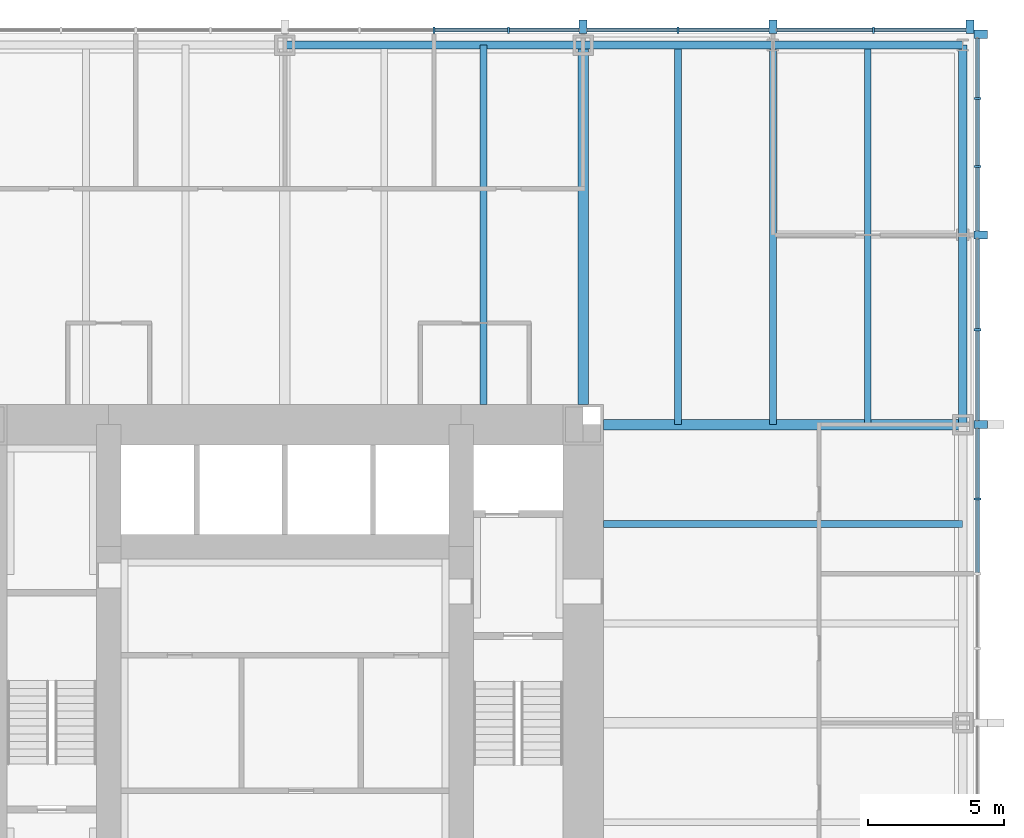
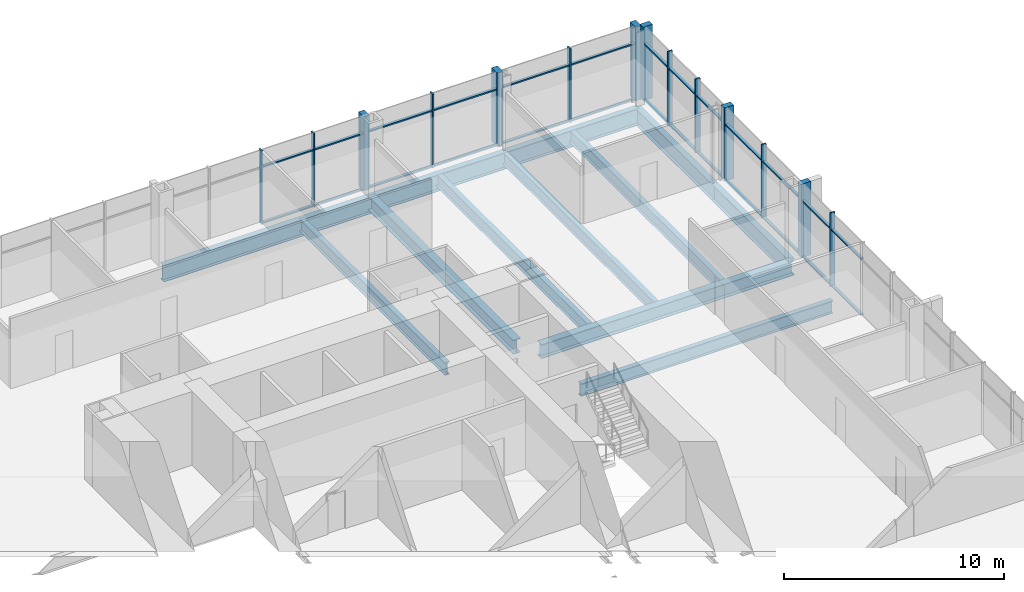
# One storey, part 6 of 12: 40 members, 12 beams, 2 elements without a shape of their own.
"""IFC4 building model written with IfcOpenShell, lengths in metres."""

import ifcopenshell
import ifcopenshell.guid

model = None  # the IFC model being written
_history = None  # IfcOwnerHistory: only IFC2X3 demands one
_inside = {}  # id of a spatial element -> (the spatial element, [elements in it])
_under = {}  # id of a project, library or spatial element -> (it, [spatial elements below it])
_declared = {}  # id of a project -> (the project, [libraries it declares])
_typed = {}  # id of a type object -> (the type object, [elements of that type])
_made_of = {}  # id of a material, layer set ... -> (it, [elements and type objects made of it])


def new_model(schema):
    """Start an empty IFC model of exactly this schema.

    Asked for "IFC4X3", IfcOpenShell would pick the latest addendum, in which some entities
    have other attributes; the version numbers below select the first issue.
    IFC2X3 requires an IfcOwnerHistory on every rooted entity: one is made here for all.
    """
    global model, _history
    if schema == "IFC4X3":
        model = ifcopenshell.file(schema_version=(4, 3, 0, 0))
    else:
        model = ifcopenshell.file(schema=schema)
    _inside.clear()
    _under.clear()
    _declared.clear()
    _typed.clear()
    _made_of.clear()
    _history = None
    if model.schema == "IFC2X3":
        org = make("IfcOrganization", Name="unknown")
        user = make(
            "IfcPersonAndOrganization",
            ThePerson=make("IfcPerson", FamilyName="unknown"),
            TheOrganization=org,
        )
        app = make(
            "IfcApplication",
            ApplicationDeveloper=org,
            Version="unknown",
            ApplicationFullName="unknown",
            ApplicationIdentifier="unknown",
        )
        _history = make(
            "IfcOwnerHistory",
            OwningUser=user,
            OwningApplication=app,
            ChangeAction="ADDED",
            CreationDate=0,
        )
    return model


def make(cls, **values):
    """One entity of the class cls with the attributes given. An attribute that is None is left unset."""
    return model.create_entity(
        cls, **{name: value for name, value in values.items() if value is not None}
    )


def rooted(cls, **values):
    """An entity with a GlobalId (a new one), such as an element, a storey or a relation."""
    return make(cls, GlobalId=ifcopenshell.guid.new(), OwnerHistory=_history, **values)


def si_unit(unit_type, name, prefix=None):
    """IfcSIUnit, for example si_unit("LENGTHUNIT", "METRE", prefix="MILLI")."""
    return make("IfcSIUnit", UnitType=unit_type, Prefix=prefix, Name=name)


def assignment(units):
    """IfcUnitAssignment: the units of a project."""
    return None if units is None else make("IfcUnitAssignment", Units=units)


def point(xyz):
    """IfcCartesianPoint."""
    return None if xyz is None else make("IfcCartesianPoint", Coordinates=xyz)


def direction(xyz):
    """IfcDirection."""
    return None if xyz is None else make("IfcDirection", DirectionRatios=xyz)


def frame(location, z_axis=None, x_axis=None):
    """IfcAxis2Placement3D, a coordinate frame: its origin and axes. An axis left out is left unset."""
    return make(
        "IfcAxis2Placement3D",
        Location=point(location),
        Axis=direction(z_axis),
        RefDirection=direction(x_axis),
    )


def frame_2d(location, x_axis=None):
    """IfcAxis2Placement2D, a coordinate frame in the plane: its origin and x axis."""
    return make(
        "IfcAxis2Placement2D", Location=point(location), RefDirection=direction(x_axis)
    )


def origin():
    """The frame at (0, 0, 0) with its axes left unset."""
    return frame((0.0, 0.0, 0.0))


def origin_2d():
    """The frame at (0, 0) in the plane with its x axis left unset."""
    return frame_2d((0.0, 0.0))


def place(relative_to, where):
    """IfcLocalPlacement: puts the frame where relative to a parent placement (None: the world)."""
    return make(
        "IfcLocalPlacement", PlacementRelTo=relative_to, RelativePlacement=where
    )


def context(
    kind, dimensions, precision=None, world=None, true_north=None, identifier=None
):
    """IfcGeometricRepresentationContext, for example the 3D "Model" context."""
    return make(
        "IfcGeometricRepresentationContext",
        ContextIdentifier=identifier,
        ContextType=kind,
        CoordinateSpaceDimension=dimensions,
        Precision=precision,
        WorldCoordinateSystem=world,
        TrueNorth=true_north,
    )


def subcontext(parent, identifier, kind, view, scale=None):
    """IfcGeometricRepresentationSubContext, for example "Body" below "Model"."""
    return make(
        "IfcGeometricRepresentationSubContext",
        ContextIdentifier=identifier,
        ContextType=kind,
        ParentContext=parent,
        TargetScale=scale,
        TargetView=view,
    )


def project(units=None, contexts=None):
    """IfcProject with its units and contexts."""
    return rooted(
        "IfcProject",
        Name="project",
        RepresentationContexts=contexts,
        UnitsInContext=assignment(units),
    )


def spatial(cls, under=None, at=None, **own):
    """A site, building, storey or space (cls), placed at a placement, below another one or the project."""
    s = rooted(cls, ObjectPlacement=at, **own)
    if under is not None:
        _under.setdefault(under.id(), (under, []))[1].append(s)
    return s


def profile(cls, at=None, kind="AREA", **sizes):
    """A parametric profile (cls). Its sizes go by their IFC names, for example OverallWidth=200.0."""
    return make(cls, ProfileType=kind, Position=at, **sizes)


def rectangle(**sizes):
    """IfcRectangleProfileDef."""
    return profile("IfcRectangleProfileDef", **sizes)


def i_section(**sizes):
    """IfcIShapeProfileDef."""
    return profile("IfcIShapeProfileDef", **sizes)


def extrude(swept, where, along, depth):
    """IfcExtrudedAreaSolid: the profile swept, set in the frame where, extruded along a direction by depth."""
    return make(
        "IfcExtrudedAreaSolid",
        SweptArea=swept,
        Position=where,
        ExtrudedDirection=direction(along),
        Depth=depth,
    )


def shape(context_of_items, identifier, shape_type, items):
    """IfcShapeRepresentation: the items that make up one representation, for example the "Body"."""
    return make(
        "IfcShapeRepresentation",
        ContextOfItems=context_of_items,
        RepresentationIdentifier=identifier,
        RepresentationType=shape_type,
        Items=items,
    )


def material(Name=None, Category=None):
    """IfcMaterial."""
    return make("IfcMaterial", Name=Name, Category=Category)


def material_profile(
    of_material, cross_section, Name=None, Category=None, Priority=None
):
    """IfcMaterialProfile: a cross section and its material."""
    return make(
        "IfcMaterialProfile",
        Name=Name,
        Material=of_material,
        Profile=cross_section,
        Priority=Priority,
        Category=Category,
    )


def profile_set(profiles, Name=None, composite=None):
    """IfcMaterialProfileSet."""
    return make(
        "IfcMaterialProfileSet",
        Name=Name,
        MaterialProfiles=profiles,
        CompositeProfile=composite,
    )


def made_of(thing, what):
    """Note that an element or type object is made of a material, layer set ...; save() writes the relation."""
    if what is not None:
        _made_of.setdefault(what.id(), (what, []))[1].append(thing)
    return thing


def type_object(cls, material=None, **own):
    """A type object (cls), such as IfcWallType, which elements share."""
    return made_of(rooted(cls, **own), material)


def element(
    cls,
    number,
    at=None,
    inside=None,
    cuts=None,
    type_object=None,
    material=None,
    context=None,
    identifier="Body",
    shape_type=None,
    held_by="IfcProductDefinitionShape",
    body=None,
    shapes=None,
    **own,
):
    """One element of the class cls, such as IfcWall. Its Tag is "e" and its number.

    at: its placement. inside: the storey or other place that contains it. cuts: it is an
    opening in that element (IfcRelVoidsElement). A single representation is given by context,
    identifier, shape_type and body (its items); several are given by shapes. held_by: the class
    of the entity that holds the representations. save() writes the other relations.
    """
    e = rooted(cls, Tag="e%d" % number, ObjectPlacement=at, **own)
    if body is not None:
        shapes = [shape(context, identifier, shape_type, body)]
    if shapes is not None:
        e.Representation = make(held_by, Representations=shapes)
    if inside is not None:
        _inside.setdefault(inside.id(), (inside, []))[1].append(e)
    if cuts is not None:
        rooted(
            "IfcRelVoidsElement", RelatingBuildingElement=cuts, RelatedOpeningElement=e
        )
    if type_object is not None:
        _typed.setdefault(type_object.id(), (type_object, []))[1].append(e)
    return made_of(e, material)


def aggregate(whole, parts):
    """IfcRelAggregates: a whole, such as a stair, and the parts it consists of."""
    return rooted("IfcRelAggregates", RelatingObject=whole, RelatedObjects=parts)


def save(model, path):
    """Write the relations noted so far, then the file.

    IfcRelAggregates (storeys below a building ...), IfcRelContainedInSpatialStructure (elements
    in a storey), IfcRelDefinesByType, IfcRelAssociatesMaterial and IfcRelDeclares: one each for
    every whole, place, type object, material and project.
    """
    for whole, parts in _under.values():
        aggregate(whole, parts)
    for where, things in _inside.values():
        rooted(
            "IfcRelContainedInSpatialStructure",
            RelatedElements=things,
            RelatingStructure=where,
        )
    for kind, things in _typed.values():
        rooted("IfcRelDefinesByType", RelatedObjects=things, RelatingType=kind)
    for what, things in _made_of.values():
        rooted("IfcRelAssociatesMaterial", RelatedObjects=things, RelatingMaterial=what)
    for by, libraries in _declared.values():
        rooted("IfcRelDeclares", RelatingContext=by, RelatedDefinitions=libraries)
    model.write(path)


model = new_model("IFC4")

# Units and contexts
model_context = context("Model", 3, precision=1e-05, world=origin(), true_north=direction((0.0, 1.0)))
body_context = subcontext(model_context, "Body", "Model", "MODEL_VIEW")
ifc_project = project(units=[si_unit("LENGTHUNIT", "METRE"), si_unit("AREAUNIT", "SQUARE_METRE"), si_unit("VOLUMEUNIT", "CUBIC_METRE"), si_unit("PLANEANGLEUNIT", "RADIAN"), si_unit("MASSUNIT", "GRAM", prefix="KILO")], contexts=[model_context])

# Site, building, storey
site_placement = place(None, origin())
site = spatial("IfcSite", under=ifc_project, at=site_placement, CompositionType="ELEMENT")
building_placement = place(site_placement, origin())
building = spatial("IfcBuilding", under=site, at=building_placement, Name="Trevanion Tower", CompositionType="ELEMENT")
storey_placement = place(building_placement, frame((0.0, 0.0, 69.300048828125)))
storey = spatial("IfcBuildingStorey", under=building, at=storey_placement, Name="L16", CompositionType="ELEMENT", Elevation=69.300048828125)

# Beams
ifc_material_1 = material(Name="Steel ASTM A992 Grade 50", Category="steel")
ifc_material_profile_1 = material_profile(ifc_material_1, i_section(OverallWidth=0.25390625, OverallDepth=0.700927734375, WebThickness=0.015380859375, FlangeThickness=0.02783203125, at=origin_2d()), Name="W27X129")
ifc_profile_set_1 = profile_set([ifc_material_profile_1], Name="Steel ASTM A992 Grade 50")
beam_type_1 = type_object("IfcBeamType", Name="B3 W27X129", PredefinedType="BEAM", material=ifc_profile_set_1)
for number, where, z_axis, x_axis, name in (
    (1, (11.75, 7.333251953125, -0.54052734375), (1.0, 0.0, 0.0), (0.0, 1.0, 0.0), "B3 L16"),
    (2, (7.333251953125, 11.75, -0.54052734375), (0.0, 1.0, 0.0), (-1.0, 0.0, 0.0), "B3 L16"),
):
    element("IfcBeam", number, at=place(storey_placement, frame(where, z_axis=z_axis, x_axis=x_axis)), inside=storey, type_object=beam_type_1, Name=name, PredefinedType="BEAM", context=body_context, shape_type="SweptSolid", body=[
        extrude(i_section(OverallWidth=0.25390625, OverallDepth=0.700927734375, WebThickness=0.015380859375, FlangeThickness=0.02783203125, at=origin_2d()), origin(), (0.0, 0.0, 1.0), 13.25),
    ])
ifc_material_2 = material(Name="Steel ASTM A992 Grade 50", Category="steel")
ifc_material_profile_2 = material_profile(ifc_material_2, i_section(OverallWidth=0.256591796875, OverallDepth=0.693359375, WebThickness=0.014404296875, FlangeThickness=0.023681640625, at=origin_2d()), Name="W27X114")
ifc_profile_set_2 = profile_set([ifc_material_profile_2], Name="Steel ASTM A992 Grade 50")
beam_type_2 = type_object("IfcBeamType", Name="B4 W27X114", PredefinedType="BEAM", material=ifc_profile_set_2)
for number, where, z_axis, x_axis, name in (
    (3, (14.5, 11.0, -0.536865234375), (0.0, 1.0, 0.0), (-1.0, 0.0, 0.0), "B4 L16"),
    (4, (18.0, 11.0, -0.536865234375), (0.0, 1.0, 0.0), (-1.0, 0.0, 0.0), "B4 L16"),
    (5, (21.5, 11.0, -0.536865234375), (0.0, 1.0, 0.0), (-1.0, 0.0, 0.0), "B4 L16"),
):
    element("IfcBeam", number, at=place(storey_placement, frame(where, z_axis=z_axis, x_axis=x_axis)), inside=storey, type_object=beam_type_2, Name=name, PredefinedType="BEAM", context=body_context, shape_type="SweptSolid", body=[
        extrude(i_section(OverallWidth=0.256591796875, OverallDepth=0.693359375, WebThickness=0.014404296875, FlangeThickness=0.023681640625, at=origin_2d()), origin(), (0.0, 0.0, 1.0), 14.0),
    ])

# Curtain wall, members
ifc_material_3 = material(Name="Aluminium and glass", Category="aluminium")
curtain_wall_type = type_object("IfcCurtainWallType", Name="CW1 curtain wall", PredefinedType="USERDEFINED", material=ifc_material_3)
curtain_wall_1_placement = place(storey_placement, origin())
curtain_wall_1 = element("IfcCurtainWall", 6, at=curtain_wall_1_placement, inside=storey, type_object=curtain_wall_type, Name="CW1 L16 0", ObjectType="UNITISED CURTAIN WALL", PredefinedType="USERDEFINED")
ifc_material_4 = material(Name="Aluminium extrusion, anodised bronze", Category="aluminium")
ifc_material_profile_3 = material_profile(ifc_material_4, rectangle(XDim=0.074951171875, YDim=0.25, at=origin_2d()), Name="CW1 mullion")
ifc_profile_set_3 = profile_set([ifc_material_profile_3], Name="Aluminium extrusion, anodised bronze")
member_type_1 = type_object("IfcMemberType", Name="CW1 mullion", PredefinedType="MULLION", material=ifc_profile_set_3)
member_1_placement = place(storey_placement, frame((25.550048828125, 8.25, -0.18994140625), z_axis=(0.0, 0.0, 1.0), x_axis=(0.0, 1.0, 0.0)))
member_1 = element("IfcMember", 7, at=member_1_placement, type_object=member_type_1, Name="CW1 mullion 12", PredefinedType="MULLION", context=body_context, shape_type="SweptSolid", body=[
    extrude(rectangle(XDim=0.074951171875, YDim=0.25, at=origin_2d()), origin(), (0.0, 0.0, 1.0), 4.099853515625),
])
member_2_placement = place(storey_placement, frame((25.550048828125, 14.5, -0.18994140625), z_axis=(0.0, 0.0, 1.0), x_axis=(0.0, 1.0, 0.0)))
member_2 = element("IfcMember", 8, at=member_2_placement, type_object=member_type_1, Name="CW1 mullion 14", PredefinedType="MULLION", context=body_context, shape_type="SweptSolid", body=[
    extrude(rectangle(XDim=0.074951171875, YDim=0.25, at=origin_2d()), origin(), (0.0, 0.0, 1.0), 4.099853515625),
])
member_3_placement = place(storey_placement, frame((25.550048828125, 20.5166015625, -0.18994140625), z_axis=(0.0, 0.0, 1.0), x_axis=(0.0, 1.0, 0.0)))
member_3 = element("IfcMember", 9, at=member_3_placement, type_object=member_type_1, Name="CW1 mullion 16", PredefinedType="MULLION", context=body_context, shape_type="SweptSolid", body=[
    extrude(rectangle(XDim=0.074951171875, YDim=0.25, at=origin_2d()), origin(), (0.0, 0.0, 1.0), 4.099853515625),
])
member_4_placement = place(storey_placement, frame((25.550048828125, 23.033203125, -0.18994140625), z_axis=(0.0, 0.0, 1.0), x_axis=(0.0, 1.0, 0.0)))
member_4 = element("IfcMember", 10, at=member_4_placement, type_object=member_type_1, Name="CW1 mullion 17", PredefinedType="MULLION", context=body_context, shape_type="SweptSolid", body=[
    extrude(rectangle(XDim=0.074951171875, YDim=0.25, at=origin_2d()), origin(), (0.0, 0.0, 1.0), 4.099853515625),
])

curtain_wall_2_placement = place(storey_placement, origin())
curtain_wall_2 = element("IfcCurtainWall", 11, at=curtain_wall_2_placement, inside=storey, type_object=curtain_wall_type, Name="CW1 L16 1", ObjectType="UNITISED CURTAIN WALL", PredefinedType="USERDEFINED")
member_5_placement = place(storey_placement, frame((21.7099609375, 25.550048828125, -0.18994140625), z_axis=(0.0, 0.0, 1.0), x_axis=(-1.0, 0.0, 0.0)))
member_5 = element("IfcMember", 12, at=member_5_placement, type_object=member_type_1, Name="CW1 mullion 2", PredefinedType="MULLION", context=body_context, shape_type="SweptSolid", body=[
    extrude(rectangle(XDim=0.074951171875, YDim=0.25, at=origin_2d()), origin(), (0.0, 0.0, 1.0), 4.099853515625),
])
member_6_placement = place(storey_placement, frame((14.5, 25.550048828125, -0.18994140625), z_axis=(0.0, 0.0, 1.0), x_axis=(-1.0, 0.0, 0.0)))
member_6 = element("IfcMember", 13, at=member_6_placement, type_object=member_type_1, Name="CW1 mullion 4", PredefinedType="MULLION", context=body_context, shape_type="SweptSolid", body=[
    extrude(rectangle(XDim=0.074951171875, YDim=0.25, at=origin_2d()), origin(), (0.0, 0.0, 1.0), 4.099853515625),
])
member_7_placement = place(storey_placement, frame((8.25, 25.550048828125, -0.18994140625), z_axis=(0.0, 0.0, 1.0), x_axis=(-1.0, 0.0, 0.0)))
member_7 = element("IfcMember", 14, at=member_7_placement, type_object=member_type_1, Name="CW1 mullion 6", PredefinedType="MULLION", context=body_context, shape_type="SweptSolid", body=[
    extrude(rectangle(XDim=0.074951171875, YDim=0.25, at=origin_2d()), origin(), (0.0, 0.0, 1.0), 4.099853515625),
])
member_8_placement = place(storey_placement, frame((5.5, 25.550048828125, -0.18994140625), z_axis=(0.0, 0.0, 1.0), x_axis=(-1.0, 0.0, 0.0)))
member_8 = element("IfcMember", 15, at=member_8_placement, type_object=member_type_1, Name="CW1 mullion 7", PredefinedType="MULLION", context=body_context, shape_type="SweptSolid", body=[
    extrude(rectangle(XDim=0.074951171875, YDim=0.25, at=origin_2d()), origin(), (0.0, 0.0, 1.0), 4.099853515625),
])

# Member
ifc_material_5 = material(Name="Aluminium extrusion, anodised bronze", Category="aluminium")
ifc_material_profile_4 = material_profile(ifc_material_5, rectangle(XDim=0.300048828125, YDim=0.5, at=origin_2d()), Name="CW1 pier mullion")
ifc_profile_set_4 = profile_set([ifc_material_profile_4], Name="Aluminium extrusion, anodised bronze")
member_type_2 = type_object("IfcMemberType", Name="CW1 pier mullion", PredefinedType="MULLION", material=ifc_profile_set_4)
member_9_placement = place(storey_placement, frame((25.675048828125, 11.0, -0.18994140625), z_axis=(0.0, 0.0, 1.0), x_axis=(0.0, 1.0, 0.0)))
member_9 = element("IfcMember", 16, at=member_9_placement, type_object=member_type_2, Name="CW1 pier mullion 13", PredefinedType="MULLION", context=body_context, shape_type="SweptSolid", body=[
    extrude(rectangle(XDim=0.300048828125, YDim=0.5, at=origin_2d()), origin(), (0.0, 0.0, 1.0), 4.099853515625),
])

member_10_placement = place(storey_placement, frame((25.675048828125, 18.0, -0.18994140625), z_axis=(0.0, 0.0, 1.0), x_axis=(0.0, 1.0, 0.0)))
member_10 = element("IfcMember", 17, at=member_10_placement, type_object=member_type_2, Name="CW1 pier mullion 15", PredefinedType="MULLION", context=body_context, shape_type="SweptSolid", body=[
    extrude(rectangle(XDim=0.300048828125, YDim=0.5, at=origin_2d()), origin(), (0.0, 0.0, 1.0), 4.099853515625),
])

member_11_placement = place(storey_placement, frame((25.675048828125, 25.39990234375, -0.18994140625), z_axis=(0.0, 0.0, 1.0), x_axis=(0.0, 1.0, 0.0)))
member_11 = element("IfcMember", 18, at=member_11_placement, type_object=member_type_2, Name="CW1 pier mullion 18", PredefinedType="MULLION", context=body_context, shape_type="SweptSolid", body=[
    extrude(rectangle(XDim=0.300048828125, YDim=0.5, at=origin_2d()), origin(), (0.0, 0.0, 1.0), 4.099853515625),
])

member_12_placement = place(storey_placement, frame((25.27001953125, 25.675048828125, -0.18994140625), z_axis=(0.0, 0.0, 1.0), x_axis=(-1.0, 0.0, 0.0)))
member_12 = element("IfcMember", 19, at=member_12_placement, type_object=member_type_2, Name="CW1 pier mullion 1", PredefinedType="MULLION", context=body_context, shape_type="SweptSolid", body=[
    extrude(rectangle(XDim=0.300048828125, YDim=0.5, at=origin_2d()), origin(), (0.0, 0.0, 1.0), 4.099853515625),
])

member_13_placement = place(storey_placement, frame((18.0, 25.675048828125, -0.18994140625), z_axis=(0.0, 0.0, 1.0), x_axis=(-1.0, 0.0, 0.0)))
member_13 = element("IfcMember", 20, at=member_13_placement, type_object=member_type_2, Name="CW1 pier mullion 3", PredefinedType="MULLION", context=body_context, shape_type="SweptSolid", body=[
    extrude(rectangle(XDim=0.300048828125, YDim=0.5, at=origin_2d()), origin(), (0.0, 0.0, 1.0), 4.099853515625),
])

member_14_placement = place(storey_placement, frame((11.0, 25.675048828125, -0.18994140625), z_axis=(0.0, 0.0, 1.0), x_axis=(-1.0, 0.0, 0.0)))
member_14 = element("IfcMember", 21, at=member_14_placement, type_object=member_type_2, Name="CW1 pier mullion 5", PredefinedType="MULLION", context=body_context, shape_type="SweptSolid", body=[
    extrude(rectangle(XDim=0.300048828125, YDim=0.5, at=origin_2d()), origin(), (0.0, 0.0, 1.0), 4.099853515625),
])

ifc_material_6 = material(Name="Aluminium extrusion, anodised bronze", Category="aluminium")
ifc_material_profile_5 = material_profile(ifc_material_6, rectangle(XDim=0.14990234375, YDim=0.074951171875, at=origin_2d()), Name="CW1 transom")
ifc_profile_set_5 = profile_set([ifc_material_profile_5], Name="Aluminium extrusion, anodised bronze")
member_type_3 = type_object("IfcMemberType", Name="CW1 transom", PredefinedType="USERDEFINED", material=ifc_profile_set_5)
member_15_placement = place(storey_placement, frame((25.550048828125, 5.53759765625, -0.152587890625), z_axis=(0.0, 1.0, 0.0), x_axis=(-1.0, 0.0, 0.0)))
member_15 = element("IfcMember", 22, at=member_15_placement, type_object=member_type_3, Name="CW1 transom 11.1", ObjectType="TRANSOM", PredefinedType="USERDEFINED", context=body_context, shape_type="SweptSolid", body=[
    extrude(rectangle(XDim=0.14990234375, YDim=0.074951171875, at=origin_2d()), origin(), (0.0, 0.0, 1.0), 2.6748046875),
])

member_16_placement = place(storey_placement, frame((25.550048828125, 5.53759765625, 2.9599609375), z_axis=(0.0, 1.0, 0.0), x_axis=(-1.0, 0.0, 0.0)))
member_16 = element("IfcMember", 23, at=member_16_placement, type_object=member_type_3, Name="CW1 transom 11.2", ObjectType="TRANSOM", PredefinedType="USERDEFINED", context=body_context, shape_type="SweptSolid", body=[
    extrude(rectangle(XDim=0.14990234375, YDim=0.074951171875, at=origin_2d()), origin(), (0.0, 0.0, 1.0), 2.6748046875),
])

member_17_placement = place(storey_placement, frame((25.550048828125, 8.28759765625, -0.152587890625), z_axis=(0.0, 1.0, 0.0), x_axis=(-1.0, 0.0, 0.0)))
member_17 = element("IfcMember", 24, at=member_17_placement, type_object=member_type_3, Name="CW1 transom 12.1", ObjectType="TRANSOM", PredefinedType="USERDEFINED", context=body_context, shape_type="SweptSolid", body=[
    extrude(rectangle(XDim=0.14990234375, YDim=0.074951171875, at=origin_2d()), origin(), (0.0, 0.0, 1.0), 2.5625),
])

member_18_placement = place(storey_placement, frame((25.550048828125, 8.28759765625, 2.9599609375), z_axis=(0.0, 1.0, 0.0), x_axis=(-1.0, 0.0, 0.0)))
member_18 = element("IfcMember", 25, at=member_18_placement, type_object=member_type_3, Name="CW1 transom 12.2", ObjectType="TRANSOM", PredefinedType="USERDEFINED", context=body_context, shape_type="SweptSolid", body=[
    extrude(rectangle(XDim=0.14990234375, YDim=0.074951171875, at=origin_2d()), origin(), (0.0, 0.0, 1.0), 2.5625),
])

member_19_placement = place(storey_placement, frame((25.550048828125, 11.14990234375, -0.152587890625), z_axis=(0.0, 1.0, 0.0), x_axis=(-1.0, 0.0, 0.0)))
member_19 = element("IfcMember", 26, at=member_19_placement, type_object=member_type_3, Name="CW1 transom 13.1", ObjectType="TRANSOM", PredefinedType="USERDEFINED", context=body_context, shape_type="SweptSolid", body=[
    extrude(rectangle(XDim=0.14990234375, YDim=0.074951171875, at=origin_2d()), origin(), (0.0, 0.0, 1.0), 3.3125),
])

member_20_placement = place(storey_placement, frame((25.550048828125, 11.14990234375, 2.9599609375), z_axis=(0.0, 1.0, 0.0), x_axis=(-1.0, 0.0, 0.0)))
member_20 = element("IfcMember", 27, at=member_20_placement, type_object=member_type_3, Name="CW1 transom 13.2", ObjectType="TRANSOM", PredefinedType="USERDEFINED", context=body_context, shape_type="SweptSolid", body=[
    extrude(rectangle(XDim=0.14990234375, YDim=0.074951171875, at=origin_2d()), origin(), (0.0, 0.0, 1.0), 3.3125),
])

member_21_placement = place(storey_placement, frame((25.550048828125, 14.53759765625, -0.152587890625), z_axis=(0.0, 1.0, 0.0), x_axis=(-1.0, 0.0, 0.0)))
member_21 = element("IfcMember", 28, at=member_21_placement, type_object=member_type_3, Name="CW1 transom 14.1", ObjectType="TRANSOM", PredefinedType="USERDEFINED", context=body_context, shape_type="SweptSolid", body=[
    extrude(rectangle(XDim=0.14990234375, YDim=0.074951171875, at=origin_2d()), origin(), (0.0, 0.0, 1.0), 3.3125),
])

member_22_placement = place(storey_placement, frame((25.550048828125, 14.53759765625, 2.9599609375), z_axis=(0.0, 1.0, 0.0), x_axis=(-1.0, 0.0, 0.0)))
member_22 = element("IfcMember", 29, at=member_22_placement, type_object=member_type_3, Name="CW1 transom 14.2", ObjectType="TRANSOM", PredefinedType="USERDEFINED", context=body_context, shape_type="SweptSolid", body=[
    extrude(rectangle(XDim=0.14990234375, YDim=0.074951171875, at=origin_2d()), origin(), (0.0, 0.0, 1.0), 3.3125),
])

member_23_placement = place(storey_placement, frame((25.550048828125, 18.14990234375, -0.152587890625), z_axis=(0.0, 1.0, 0.0), x_axis=(-1.0, 0.0, 0.0)))
member_23 = element("IfcMember", 30, at=member_23_placement, type_object=member_type_3, Name="CW1 transom 15.1", ObjectType="TRANSOM", PredefinedType="USERDEFINED", context=body_context, shape_type="SweptSolid", body=[
    extrude(rectangle(XDim=0.14990234375, YDim=0.074951171875, at=origin_2d()), origin(), (0.0, 0.0, 1.0), 2.329345703125),
])

member_24_placement = place(storey_placement, frame((25.550048828125, 18.14990234375, 2.9599609375), z_axis=(0.0, 1.0, 0.0), x_axis=(-1.0, 0.0, 0.0)))
member_24 = element("IfcMember", 31, at=member_24_placement, type_object=member_type_3, Name="CW1 transom 15.2", ObjectType="TRANSOM", PredefinedType="USERDEFINED", context=body_context, shape_type="SweptSolid", body=[
    extrude(rectangle(XDim=0.14990234375, YDim=0.074951171875, at=origin_2d()), origin(), (0.0, 0.0, 1.0), 2.329345703125),
])

member_25_placement = place(storey_placement, frame((25.550048828125, 20.55419921875, -0.152587890625), z_axis=(0.0, 1.0, 0.0), x_axis=(-1.0, 0.0, 0.0)))
member_25 = element("IfcMember", 32, at=member_25_placement, type_object=member_type_3, Name="CW1 transom 16.1", ObjectType="TRANSOM", PredefinedType="USERDEFINED", context=body_context, shape_type="SweptSolid", body=[
    extrude(rectangle(XDim=0.14990234375, YDim=0.074951171875, at=origin_2d()), origin(), (0.0, 0.0, 1.0), 2.441650390625),
])

member_26_placement = place(storey_placement, frame((25.550048828125, 20.55419921875, 2.9599609375), z_axis=(0.0, 1.0, 0.0), x_axis=(-1.0, 0.0, 0.0)))
member_26 = element("IfcMember", 33, at=member_26_placement, type_object=member_type_3, Name="CW1 transom 16.2", ObjectType="TRANSOM", PredefinedType="USERDEFINED", context=body_context, shape_type="SweptSolid", body=[
    extrude(rectangle(XDim=0.14990234375, YDim=0.074951171875, at=origin_2d()), origin(), (0.0, 0.0, 1.0), 2.441650390625),
])

member_27_placement = place(storey_placement, frame((25.550048828125, 23.07080078125, -0.152587890625), z_axis=(0.0, 1.0, 0.0), x_axis=(-1.0, 0.0, 0.0)))
member_27 = element("IfcMember", 34, at=member_27_placement, type_object=member_type_3, Name="CW1 transom 17.1", ObjectType="TRANSOM", PredefinedType="USERDEFINED", context=body_context, shape_type="SweptSolid", body=[
    extrude(rectangle(XDim=0.14990234375, YDim=0.074951171875, at=origin_2d()), origin(), (0.0, 0.0, 1.0), 2.17919921875),
])

member_28_placement = place(storey_placement, frame((25.550048828125, 23.07080078125, 2.9599609375), z_axis=(0.0, 1.0, 0.0), x_axis=(-1.0, 0.0, 0.0)))
member_28 = element("IfcMember", 35, at=member_28_placement, type_object=member_type_3, Name="CW1 transom 17.2", ObjectType="TRANSOM", PredefinedType="USERDEFINED", context=body_context, shape_type="SweptSolid", body=[
    extrude(rectangle(XDim=0.14990234375, YDim=0.074951171875, at=origin_2d()), origin(), (0.0, 0.0, 1.0), 2.17919921875),
])

aggregate(curtain_wall_1, [member_1, member_9, member_2, member_10, member_3, member_4, member_11, member_15, member_16, member_17, member_18, member_19, member_20, member_21, member_22, member_23, member_24, member_25, member_26, member_27, member_28])

member_29_placement = place(storey_placement, frame((25.1201171875, 25.550048828125, -0.152587890625), z_axis=(-1.0, 0.0, 0.0), x_axis=(0.0, -1.0, 0.0)))
member_29 = element("IfcMember", 36, at=member_29_placement, type_object=member_type_3, Name="CW1 transom 1.1", ObjectType="TRANSOM", PredefinedType="USERDEFINED", context=body_context, shape_type="SweptSolid", body=[
    extrude(rectangle(XDim=0.14990234375, YDim=0.074951171875, at=origin_2d()), origin(), (0.0, 0.0, 1.0), 3.37255859375),
])

member_30_placement = place(storey_placement, frame((25.1201171875, 25.550048828125, 2.9599609375), z_axis=(-1.0, 0.0, 0.0), x_axis=(0.0, -1.0, 0.0)))
member_30 = element("IfcMember", 37, at=member_30_placement, type_object=member_type_3, Name="CW1 transom 1.2", ObjectType="TRANSOM", PredefinedType="USERDEFINED", context=body_context, shape_type="SweptSolid", body=[
    extrude(rectangle(XDim=0.14990234375, YDim=0.074951171875, at=origin_2d()), origin(), (0.0, 0.0, 1.0), 3.37255859375),
])

member_31_placement = place(storey_placement, frame((21.672607421875, 25.550048828125, -0.152587890625), z_axis=(-1.0, 0.0, 0.0), x_axis=(0.0, -1.0, 0.0)))
member_31 = element("IfcMember", 38, at=member_31_placement, type_object=member_type_3, Name="CW1 transom 2.1", ObjectType="TRANSOM", PredefinedType="USERDEFINED", context=body_context, shape_type="SweptSolid", body=[
    extrude(rectangle(XDim=0.14990234375, YDim=0.074951171875, at=origin_2d()), origin(), (0.0, 0.0, 1.0), 3.522705078125),
])

member_32_placement = place(storey_placement, frame((21.672607421875, 25.550048828125, 2.9599609375), z_axis=(-1.0, 0.0, 0.0), x_axis=(0.0, -1.0, 0.0)))
member_32 = element("IfcMember", 39, at=member_32_placement, type_object=member_type_3, Name="CW1 transom 2.2", ObjectType="TRANSOM", PredefinedType="USERDEFINED", context=body_context, shape_type="SweptSolid", body=[
    extrude(rectangle(XDim=0.14990234375, YDim=0.074951171875, at=origin_2d()), origin(), (0.0, 0.0, 1.0), 3.522705078125),
])

member_33_placement = place(storey_placement, frame((17.85009765625, 25.550048828125, -0.152587890625), z_axis=(-1.0, 0.0, 0.0), x_axis=(0.0, -1.0, 0.0)))
member_33 = element("IfcMember", 40, at=member_33_placement, type_object=member_type_3, Name="CW1 transom 3.1", ObjectType="TRANSOM", PredefinedType="USERDEFINED", context=body_context, shape_type="SweptSolid", body=[
    extrude(rectangle(XDim=0.14990234375, YDim=0.074951171875, at=origin_2d()), origin(), (0.0, 0.0, 1.0), 3.3125),
])

member_34_placement = place(storey_placement, frame((17.85009765625, 25.550048828125, 2.9599609375), z_axis=(-1.0, 0.0, 0.0), x_axis=(0.0, -1.0, 0.0)))
member_34 = element("IfcMember", 41, at=member_34_placement, type_object=member_type_3, Name="CW1 transom 3.2", ObjectType="TRANSOM", PredefinedType="USERDEFINED", context=body_context, shape_type="SweptSolid", body=[
    extrude(rectangle(XDim=0.14990234375, YDim=0.074951171875, at=origin_2d()), origin(), (0.0, 0.0, 1.0), 3.3125),
])

member_35_placement = place(storey_placement, frame((14.46240234375, 25.550048828125, -0.152587890625), z_axis=(-1.0, 0.0, 0.0), x_axis=(0.0, -1.0, 0.0)))
member_35 = element("IfcMember", 42, at=member_35_placement, type_object=member_type_3, Name="CW1 transom 4.1", ObjectType="TRANSOM", PredefinedType="USERDEFINED", context=body_context, shape_type="SweptSolid", body=[
    extrude(rectangle(XDim=0.14990234375, YDim=0.074951171875, at=origin_2d()), origin(), (0.0, 0.0, 1.0), 3.3125),
])

member_36_placement = place(storey_placement, frame((14.46240234375, 25.550048828125, 2.9599609375), z_axis=(-1.0, 0.0, 0.0), x_axis=(0.0, -1.0, 0.0)))
member_36 = element("IfcMember", 43, at=member_36_placement, type_object=member_type_3, Name="CW1 transom 4.2", ObjectType="TRANSOM", PredefinedType="USERDEFINED", context=body_context, shape_type="SweptSolid", body=[
    extrude(rectangle(XDim=0.14990234375, YDim=0.074951171875, at=origin_2d()), origin(), (0.0, 0.0, 1.0), 3.3125),
])

member_37_placement = place(storey_placement, frame((10.85009765625, 25.550048828125, -0.152587890625), z_axis=(-1.0, 0.0, 0.0), x_axis=(0.0, -1.0, 0.0)))
member_37 = element("IfcMember", 44, at=member_37_placement, type_object=member_type_3, Name="CW1 transom 5.1", ObjectType="TRANSOM", PredefinedType="USERDEFINED", context=body_context, shape_type="SweptSolid", body=[
    extrude(rectangle(XDim=0.14990234375, YDim=0.074951171875, at=origin_2d()), origin(), (0.0, 0.0, 1.0), 2.5625),
])

member_38_placement = place(storey_placement, frame((10.85009765625, 25.550048828125, 2.9599609375), z_axis=(-1.0, 0.0, 0.0), x_axis=(0.0, -1.0, 0.0)))
member_38 = element("IfcMember", 45, at=member_38_placement, type_object=member_type_3, Name="CW1 transom 5.2", ObjectType="TRANSOM", PredefinedType="USERDEFINED", context=body_context, shape_type="SweptSolid", body=[
    extrude(rectangle(XDim=0.14990234375, YDim=0.074951171875, at=origin_2d()), origin(), (0.0, 0.0, 1.0), 2.5625),
])

member_39_placement = place(storey_placement, frame((8.21240234375, 25.550048828125, -0.152587890625), z_axis=(-1.0, 0.0, 0.0), x_axis=(0.0, -1.0, 0.0)))
member_39 = element("IfcMember", 46, at=member_39_placement, type_object=member_type_3, Name="CW1 transom 6.1", ObjectType="TRANSOM", PredefinedType="USERDEFINED", context=body_context, shape_type="SweptSolid", body=[
    extrude(rectangle(XDim=0.14990234375, YDim=0.074951171875, at=origin_2d()), origin(), (0.0, 0.0, 1.0), 2.6748046875),
])

member_40_placement = place(storey_placement, frame((8.21240234375, 25.550048828125, 2.9599609375), z_axis=(-1.0, 0.0, 0.0), x_axis=(0.0, -1.0, 0.0)))
member_40 = element("IfcMember", 47, at=member_40_placement, type_object=member_type_3, Name="CW1 transom 6.2", ObjectType="TRANSOM", PredefinedType="USERDEFINED", context=body_context, shape_type="SweptSolid", body=[
    extrude(rectangle(XDim=0.14990234375, YDim=0.074951171875, at=origin_2d()), origin(), (0.0, 0.0, 1.0), 2.6748046875),
])

aggregate(curtain_wall_2, [member_12, member_5, member_13, member_6, member_14, member_7, member_8, member_29, member_30, member_31, member_32, member_33, member_34, member_35, member_36, member_37, member_38, member_39, member_40])

# Beams
ifc_material_7 = material(Name="Steel ASTM A992 Grade 50", Category="steel")
ifc_material_profile_6 = material_profile(ifc_material_7, i_section(OverallWidth=0.381103515625, OverallDepth=0.77978515625, WebThickness=0.01806640625, FlangeThickness=0.0302734375, at=origin_2d()), Name="W30X191")
ifc_profile_set_6 = profile_set([ifc_material_profile_6], Name="Steel ASTM A992 Grade 50")
beam_type_3 = type_object("IfcBeamType", Name="G2 W30X191", PredefinedType="BEAM", material=ifc_profile_set_6)
for number, where, z_axis, x_axis, name in (
    (48, (11.75, 11.0, -0.579833984375), (1.0, 0.0, 0.0), (0.0, 1.0, 0.0), "G2 L16"),
    (49, (11.0, 11.75, -0.579833984375), (0.0, 1.0, 0.0), (-1.0, 0.0, 0.0), "G2 L16"),
):
    element("IfcBeam", number, at=place(storey_placement, frame(where, z_axis=z_axis, x_axis=x_axis)), inside=storey, type_object=beam_type_3, Name=name, PredefinedType="BEAM", context=body_context, shape_type="SweptSolid", body=[
        extrude(i_section(OverallWidth=0.381103515625, OverallDepth=0.77978515625, WebThickness=0.01806640625, FlangeThickness=0.0302734375, at=origin_2d()), origin(), (0.0, 0.0, 1.0), 13.25),
    ])
ifc_material_8 = material(Name="Steel ASTM A992 Grade 50", Category="steel")
ifc_material_profile_7 = material_profile(ifc_material_8, i_section(OverallWidth=0.307373046875, OverallDepth=0.927001953125, WebThickness=0.01953125, FlangeThickness=0.031982421875, at=origin_2d()), Name="W36X194")
ifc_profile_set_7 = profile_set([ifc_material_profile_7], Name="Steel ASTM A992 Grade 50")
beam_type_4 = type_object("IfcBeamType", Name="SB2 W36X194", PredefinedType="SPANDREL", material=ifc_profile_set_7)
for number, where, z_axis, x_axis, name in (
    (50, (25.0, 11.0, -0.653564453125), (0.0, 1.0, 0.0), (-1.0, 0.0, 0.0), "SB2 L16"),
    (51, (25.0, 18.0, -0.653564453125), (0.0, 1.0, 0.0), (-1.0, 0.0, 0.0), "SB2 L16"),
    (52, (25.0, 25.0, -0.653564453125), (-1.0, 0.0, 0.0), (0.0, -1.0, 0.0), "SB2 L16"),
    (53, (18.0, 25.0, -0.653564453125), (-1.0, 0.0, 0.0), (0.0, -1.0, 0.0), "SB2 L16"),
):
    element("IfcBeam", number, at=place(storey_placement, frame(where, z_axis=z_axis, x_axis=x_axis)), inside=storey, type_object=beam_type_4, Name=name, PredefinedType="SPANDREL", context=body_context, shape_type="SweptSolid", body=[
        extrude(i_section(OverallWidth=0.307373046875, OverallDepth=0.927001953125, WebThickness=0.01953125, FlangeThickness=0.031982421875, at=origin_2d()), origin(), (0.0, 0.0, 1.0), 7.0),
    ])
beam_placement = place(storey_placement, frame((11.0, 25.0, -0.653564453125), z_axis=(-1.0, 0.0, 0.0), x_axis=(0.0, -1.0, 0.0)))
element("IfcBeam", 54, at=beam_placement, inside=storey, type_object=beam_type_4, Name="SB2 L16", PredefinedType="SPANDREL", context=body_context, shape_type="SweptSolid", body=[
    extrude(i_section(OverallWidth=0.307373046875, OverallDepth=0.927001953125, WebThickness=0.01953125, FlangeThickness=0.031982421875, at=origin_2d()), origin(), (0.0, 0.0, 1.0), 11.0),
])

save(model, "model.ifc")
